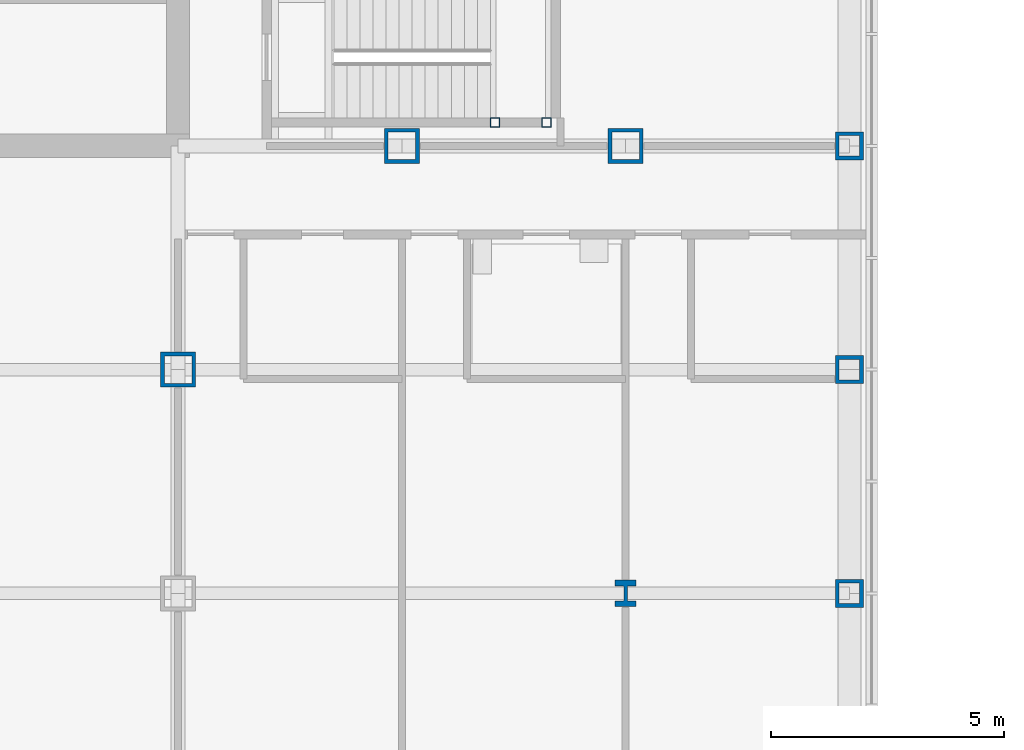
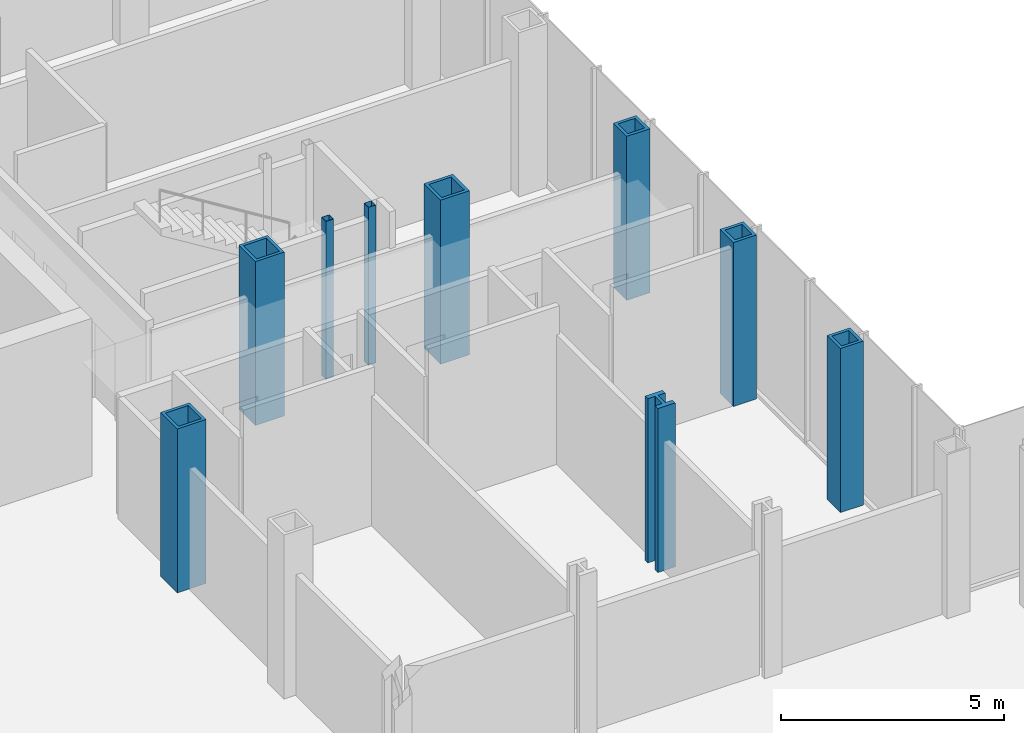
# One storey, part 6 of 25: 9 columns.
"""IFC4 building model written with IfcOpenShell, lengths in metres."""

from ifc_helpers import new_model, si_unit, direction, frame, origin, origin_2d, place, context, subcontext, project, spatial, hollow_rectangle, i_section, extrude, material, material_profile, profile_set, type_object, element, save


model = new_model("IFC4")

# Units and contexts
model_context = context("Model", 3, precision=1e-05, world=origin(), true_north=direction((0.0, 1.0)))
body_context = subcontext(model_context, "Body", "Model", "MODEL_VIEW")
ifc_project = project(units=[si_unit("LENGTHUNIT", "METRE"), si_unit("AREAUNIT", "SQUARE_METRE"), si_unit("VOLUMEUNIT", "CUBIC_METRE"), si_unit("PLANEANGLEUNIT", "RADIAN"), si_unit("MASSUNIT", "GRAM", prefix="KILO")], contexts=[model_context])

# Site, building, storey
site_placement = place(None, origin())
site = spatial("IfcSite", under=ifc_project, at=site_placement, CompositionType="ELEMENT")
building_placement = place(site_placement, origin())
building = spatial("IfcBuilding", under=site, at=building_placement, Name="Kvirike Care Tower", CompositionType="ELEMENT")
storey_placement = place(building_placement, frame((0.0, 0.0, 9.0)))
storey = spatial("IfcBuildingStorey", under=building, at=storey_placement, Name="L02", CompositionType="ELEMENT", Elevation=9.0)

# Columns
ifc_material_1 = material(Name="Steel S460", Category="steel")
ifc_material_profile_1 = material_profile(ifc_material_1, hollow_rectangle(XDim=0.60009765625, YDim=0.60009765625, WallThickness=0.080078125, at=origin_2d()), Name="BX 600x600x80")
ifc_profile_set_1 = profile_set([ifc_material_profile_1], Name="Steel S460")
column_type_1 = type_object("IfcColumnType", Name="COLUMN BX 600x600x80", PredefinedType="COLUMN", material=ifc_profile_set_1)
for number, where, z_axis, x_axis, name in (
    (1, (43.199951171875, 19.199951171875, 0.0), (0.0, 0.0, 1.0), (1.0, 0.0, 0.0), "Column E12 L02"),
    (2, (43.199951171875, 24.0, 0.0), (0.0, 0.0, 1.0), (1.0, 0.0, 0.0), "Column F12 L02"),
    (3, (43.199951171875, 28.800048828125, 0.0), (0.0, 0.0, 1.0), (0.0, 1.0, 0.0), "Column G12 L02"),
):
    element("IfcColumn", number, at=place(storey_placement, frame(where, z_axis=z_axis, x_axis=x_axis)), inside=storey, type_object=column_type_1, Name=name, PredefinedType="COLUMN", context=body_context, shape_type="SweptSolid", body=[
        extrude(hollow_rectangle(XDim=0.60009765625, YDim=0.60009765625, WallThickness=0.080078125, at=origin_2d()), origin(), (0.0, 0.0, 1.0), 4.5),
    ])
ifc_material_2 = material(Name="Steel S460", Category="steel")
ifc_material_profile_2 = material_profile(ifc_material_2, hollow_rectangle(XDim=0.75, YDim=0.75, WallThickness=0.080078125, at=origin_2d()), Name="BX 750x750x80")
ifc_profile_set_2 = profile_set([ifc_material_profile_2], Name="Steel S460")
column_type_2 = type_object("IfcColumnType", Name="COLUMN BX 750x750x80", PredefinedType="COLUMN", material=ifc_profile_set_2)
for number, where, z_axis, x_axis, name in (
    (4, (28.800048828125, 24.0, 0.0), (0.0, 0.0, 1.0), (1.0, 0.0, 0.0), "Column F9 L02"),
    (5, (33.60009765625, 28.800048828125, 0.0), (0.0, 0.0, 1.0), (0.0, 1.0, 0.0), "Column G10 L02"),
    (6, (38.39990234375, 28.800048828125, 0.0), (0.0, 0.0, 1.0), (0.0, 1.0, 0.0), "Column G11 L02"),
):
    element("IfcColumn", number, at=place(storey_placement, frame(where, z_axis=z_axis, x_axis=x_axis)), inside=storey, type_object=column_type_2, Name=name, PredefinedType="COLUMN", context=body_context, shape_type="SweptSolid", body=[
        extrude(hollow_rectangle(XDim=0.75, YDim=0.75, WallThickness=0.080078125, at=origin_2d()), origin(), (0.0, 0.0, 1.0), 4.5),
    ])
ifc_material_3 = material(Name="Steel S460", Category="steel")
ifc_material_profile_3 = material_profile(ifc_material_3, i_section(OverallWidth=0.4541015625, OverallDepth=0.569091796875, WebThickness=0.077880859375, FlangeThickness=0.125, FilletRadius=0.014892578125, at=origin_2d()), Name="HD 400x1086")
ifc_profile_set_3 = profile_set([ifc_material_profile_3], Name="Steel S460")
column_type_3 = type_object("IfcColumnType", Name="COLUMN HD 400x1086", PredefinedType="COLUMN", material=ifc_profile_set_3)
column_placement = place(storey_placement, frame((38.39990234375, 19.199951171875, 0.0), z_axis=(0.0, 0.0, 1.0), x_axis=(1.0, 0.0, 0.0)))
element("IfcColumn", 7, at=column_placement, inside=storey, type_object=column_type_3, Name="Column E11 L02", PredefinedType="COLUMN", context=body_context, shape_type="SweptSolid", body=[
    extrude(i_section(OverallWidth=0.4541015625, OverallDepth=0.569091796875, WebThickness=0.077880859375, FlangeThickness=0.125, FilletRadius=0.014892578125, at=origin_2d()), origin(), (0.0, 0.0, 1.0), 4.5),
])
ifc_material_4 = material(Name="Steel S460", Category="steel")
ifc_material_profile_4 = material_profile(ifc_material_4, hollow_rectangle(XDim=0.199951171875, YDim=0.199951171875, WallThickness=0.008056640625, at=origin_2d()), Name="SHS 200x200x8")
ifc_profile_set_4 = profile_set([ifc_material_profile_4], Name="Steel S460")
column_type_4 = type_object("IfcColumnType", Name="STAIR POST SHS 200x200x8", PredefinedType="COLUMN", material=ifc_profile_set_4)
for number, where, z_axis, x_axis, name in (
    (8, (36.699951171875, 29.300048828125, 0.0), (0.0, 0.0, 1.0), (1.0, 0.0, 0.0), "Stair 2 post 1 L02"),
    (9, (35.60009765625, 29.300048828125, 0.0), (0.0, 0.0, 1.0), (1.0, 0.0, 0.0), "Stair 2 post 3 L02"),
):
    element("IfcColumn", number, at=place(storey_placement, frame(where, z_axis=z_axis, x_axis=x_axis)), inside=storey, type_object=column_type_4, Name=name, PredefinedType="COLUMN", context=body_context, shape_type="SweptSolid", body=[
        extrude(hollow_rectangle(XDim=0.199951171875, YDim=0.199951171875, WallThickness=0.008056640625, at=origin_2d()), origin(), (0.0, 0.0, 1.0), 4.330078125),
    ])

save(model, "model.ifc")
